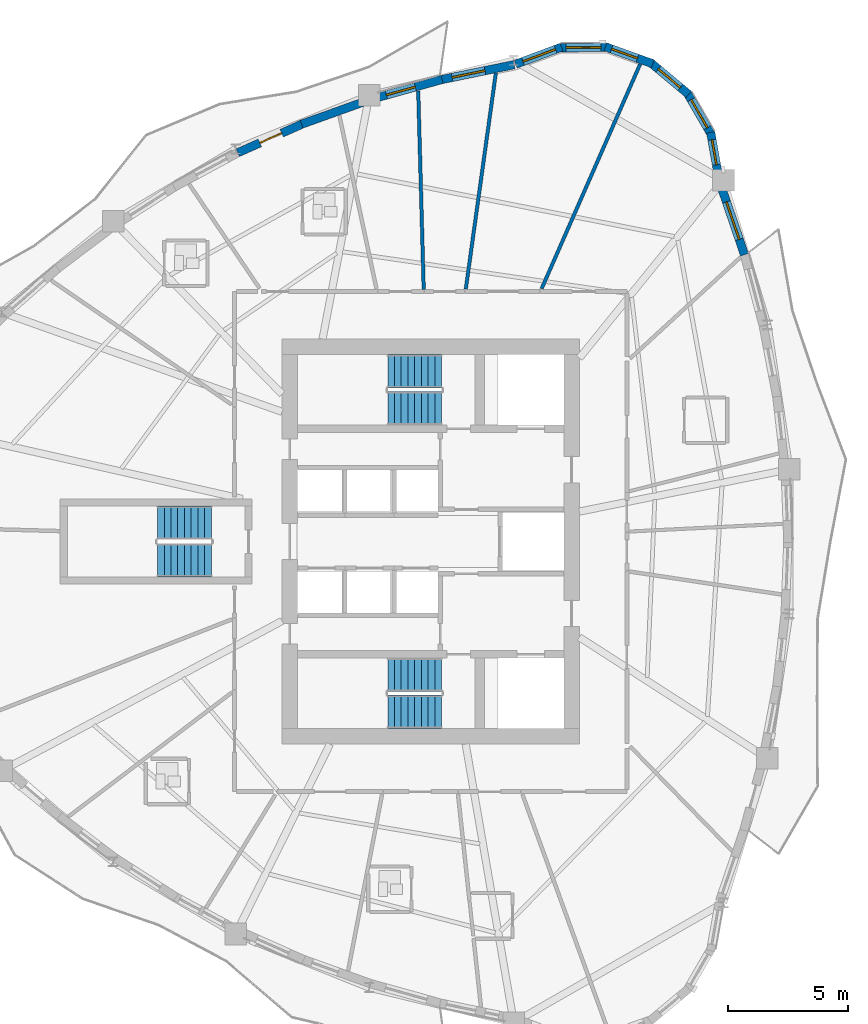
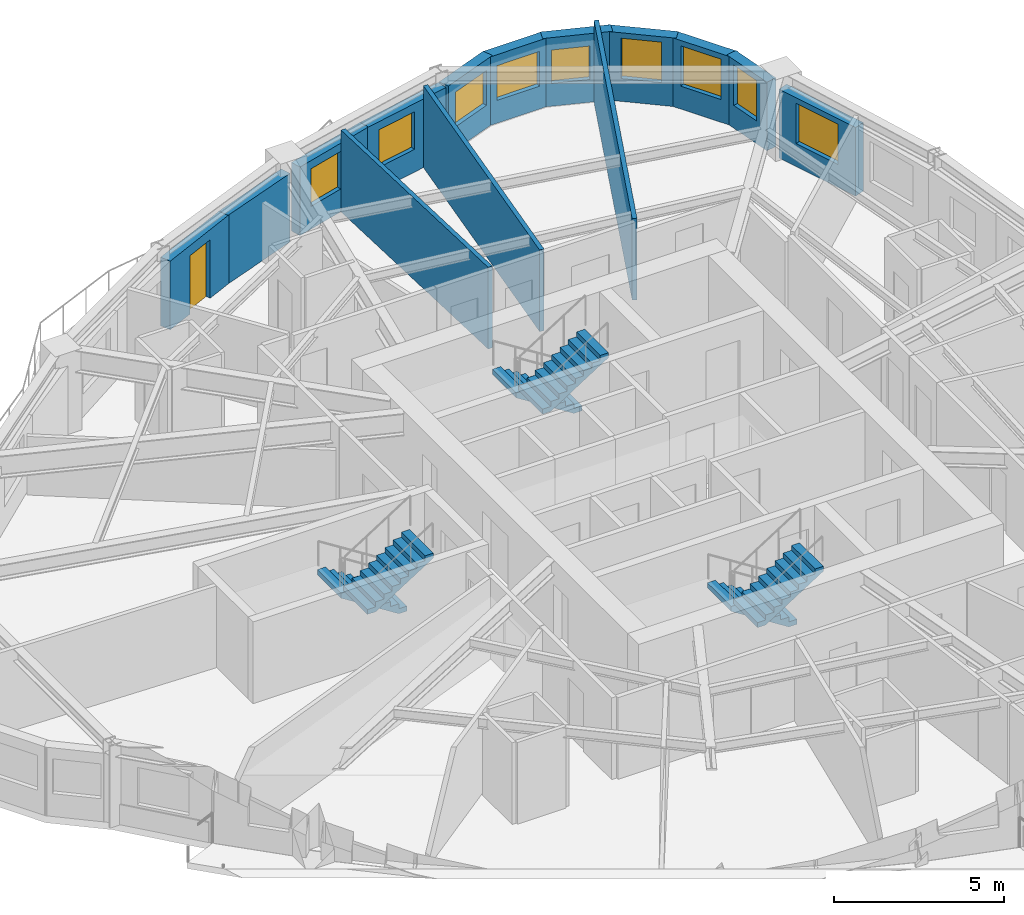
# One storey, part 8 of 12: 14 walls, 9 windows, 6 stair flights, 1 door, 10 openings, 3 elements without a shape of their own.
"""IFC4 building model written with IfcOpenShell, lengths in metres."""

from ifc_helpers import new_model, si_unit, direction, frame, frame_2d, origin, place, context, subcontext, project, spatial, polyline, rectangle, outline, extrude, source, transform, mapped, material, layer, layer_set, type_object, element, fill, aggregate, save


model = new_model("IFC4")

# Units and contexts
model_context = context("Model", 3, precision=1e-05, world=origin(), true_north=direction((0.0, 1.0)))
body_context = subcontext(model_context, "Body", "Model", "MODEL_VIEW")
ifc_project = project(units=[si_unit("LENGTHUNIT", "METRE"), si_unit("AREAUNIT", "SQUARE_METRE"), si_unit("VOLUMEUNIT", "CUBIC_METRE"), si_unit("PLANEANGLEUNIT", "RADIAN"), si_unit("MASSUNIT", "GRAM", prefix="KILO")], contexts=[model_context])

# Site, building, storey
site_placement = place(None, origin())
site = spatial("IfcSite", under=ifc_project, at=site_placement, CompositionType="ELEMENT")
building_placement = place(site_placement, origin())
building = spatial("IfcBuilding", under=site, at=building_placement, Name="Qafzar Sky-Pleat Residences", CompositionType="ELEMENT")
storey_placement = place(building_placement, frame((0.0, 0.0, 76.800048828125)))
storey = spatial("IfcBuildingStorey", under=building, at=storey_placement, Name="L22", CompositionType="ELEMENT", Elevation=76.800048828125)

# Walls
ifc_material_1 = material(Name="Acoustic gypsum plasterboard partition", Category="gypsum")
ifc_layer_1 = layer(ifc_material_1, 0.14501953125)
ifc_layer_set_1 = layer_set([ifc_layer_1], Name="Acoustic gypsum plasterboard partition")
wall_type_1 = type_object("IfcWallType", Name="PART-UNIT-145", PredefinedType="PARTITIONING", material=ifc_layer_set_1)
wall_1_placement = place(storey_placement, frame((34.97705078125, 36.54638671875, 0.0), z_axis=(0.0, 0.0, 1.0), x_axis=(0.40175384449, 0.915747699117, 0.0)))
element("IfcWall", 1, at=wall_1_placement, inside=storey, type_object=wall_type_1, Name="L22 Partition Wall PART-L22-PW-027", PredefinedType="PARTITIONING", context=body_context, shape_type="SweptSolid", body=[
    extrude(rectangle(XDim=10.229736328125, YDim=0.14501953125, at=frame_2d((5.11474609375, 0.0))), origin(), (0.0, 0.0, 1.0), 2.93505859375),
])
wall_2_placement = place(storey_placement, frame((31.813720703125, 36.52783203125, 0.0), z_axis=(0.0, 0.0, 1.0), x_axis=(0.137724115974, 0.990470629488, 0.0)))
element("IfcWall", 2, at=wall_2_placement, inside=storey, type_object=wall_type_1, Name="L22 Partition Wall PART-L22-PW-029", PredefinedType="PARTITIONING", context=body_context, shape_type="SweptSolid", body=[
    extrude(rectangle(XDim=9.09912109375, YDim=0.14501953125, at=frame_2d((4.549560546875, 0.0))), origin(), (0.0, 0.0, 1.0), 2.93505859375),
])
wall_3_placement = place(storey_placement, frame((29.830078125, 44.785400390625, 0.0), z_axis=(0.0, 0.0, 1.0), x_axis=(0.027636759054, -0.999618031825, 0.0)))
element("IfcWall", 3, at=wall_3_placement, inside=storey, type_object=wall_type_1, Name="L22 Partition Wall PART-L22-PW-032", PredefinedType="PARTITIONING", context=body_context, shape_type="SweptSolid", body=[
    extrude(rectangle(XDim=8.2685546875, YDim=0.14501953125, at=frame_2d((4.13427734375, 0.0))), origin(), (0.0, 0.0, 1.0), 2.93505859375),
])

# Wall, opening, window
ifc_material_2 = material(Name="Precast concrete C40/50 with honed Riyadh limestone", Category="concrete")
ifc_layer_2 = layer(ifc_material_2, 0.35009765625)
ifc_layer_set_2 = layer_set([ifc_layer_2], Name="Precast concrete C40/50 with honed Riyadh limestone")
wall_type_2 = type_object("IfcWallType", Name="WALL-EXT-350", PredefinedType="SOLIDWALL", material=ifc_layer_set_2)
wall_4_placement = place(storey_placement, frame((43.437255859375, 37.9609375, 0.0), z_axis=(0.0, 0.0, 1.0), x_axis=(-0.323572555921, 0.946203361363, 0.0)))
wall_4 = element("IfcWall", 4, at=wall_4_placement, inside=storey, type_object=wall_type_2, Name="L22 Limestone Facade Wall 32", PredefinedType="SOLIDWALL", context=body_context, shape_type="SweptSolid", body=[
    extrude(rectangle(XDim=2.997802734375, YDim=0.35009765625, at=frame_2d((1.4990234375, 0.0))), origin(), (0.0, 0.0, 1.0), 2.46484375),
])
opening_1_placement = place(wall_4_placement, frame((0.6787109375, 0.0, 0.820068359375)))
opening_1 = element("IfcOpeningElement", 5, at=opening_1_placement, cuts=wall_4, Name="Opening WN-02", PredefinedType="OPENING", context=body_context, shape_type="SweptSolid", body=[
    extrude(rectangle(XDim=1.64990234375, YDim=1.449951171875, at=frame_2d((0.824951171875, 0.72509765625))), frame((0.0, 0.18505859375, 0.0), z_axis=(0.0, -1.0, 0.0), x_axis=(1.0, 0.0, 0.0)), (0.0, 0.0, 1.0), 0.3701171875),
])
ifc_material_3 = material(Name="Solar-control low-E glass in bronze aluminium frame", Category="glass")
window_type_1 = type_object("IfcWindowType", Name="WIN-02", PartitioningType="DOUBLE_PANEL_VERTICAL", PredefinedType="WINDOW", material=ifc_material_3)
shared_shape_1 = source(origin(), body_context, "Body", "SweptSolid", [
    extrude(rectangle(XDim=1.64990234375, YDim=1.449951171875, at=frame_2d((0.824951171875, 0.72509765625))), frame((0.0, 0.030029296875, 0.0), z_axis=(0.0, -1.0, 0.0), x_axis=(1.0, 0.0, 0.0)), (0.0, 0.0, 1.0), 0.06005859375),
])
window_1_placement = place(opening_1_placement, origin())
window_1 = element("IfcWindow", 6, at=window_1_placement, inside=storey, type_object=window_type_1, Name="L22 Punched Facade Window 32", OverallHeight=1.449951171875, OverallWidth=1.64990234375, PartitioningType="SINGLE_PANEL", PredefinedType="WINDOW", context=body_context, shape_type="MappedRepresentation", body=[
    mapped(shared_shape_1, transform((0.0, 0.0, 0.0), x_axis=(1.0, 0.0, 0.0), y_axis=(0.0, 1.0, 0.0), z_axis=(0.0, 0.0, 1.0), scale=1.0)),
])
fill(opening_1, window_1)

wall_5_placement = place(storey_placement, frame((42.348388671875, 41.2578125, 0.0), z_axis=(0.0, 0.0, 1.0), x_axis=(-0.174331490339, 0.984687022092, 0.0)))
wall_5 = element("IfcWall", 7, at=wall_5_placement, inside=storey, type_object=wall_type_2, Name="L22 Limestone Facade Wall 33", PredefinedType="SOLIDWALL", context=body_context, shape_type="SweptSolid", body=[
    extrude(rectangle(XDim=1.8359375, YDim=0.35009765625, at=frame_2d((0.91796875, 0.0))), origin(), (0.0, 0.0, 1.0), 2.46484375),
])
opening_2_placement = place(wall_5_placement, frame((0.468017578125, 0.0, 0.820068359375)))
opening_2 = element("IfcOpeningElement", 8, at=opening_2_placement, cuts=wall_5, Name="Opening WN-06", PredefinedType="OPENING", context=body_context, shape_type="SweptSolid", body=[
    extrude(rectangle(XDim=1.050048828125, YDim=1.449951171875, at=frame_2d((0.52490234375, 0.72509765625))), frame((0.0, 0.18505859375, 0.0), z_axis=(0.0, -1.0, 0.0), x_axis=(1.0, 0.0, 0.0)), (0.0, 0.0, 1.0), 0.3701171875),
])
window_type_2 = type_object("IfcWindowType", Name="WIN-06", PartitioningType="SINGLE_PANEL", PredefinedType="WINDOW", material=ifc_material_3)
shared_shape_2 = source(origin(), body_context, "Body", "SweptSolid", [
    extrude(rectangle(XDim=1.050048828125, YDim=1.449951171875, at=frame_2d((0.52490234375, 0.72509765625))), frame((0.0, 0.030029296875, 0.0), z_axis=(0.0, -1.0, 0.0), x_axis=(1.0, 0.0, 0.0)), (0.0, 0.0, 1.0), 0.06005859375),
])
window_2_placement = place(opening_2_placement, origin())
window_2 = element("IfcWindow", 9, at=window_2_placement, inside=storey, type_object=window_type_2, Name="L22 Punched Facade Window 33", OverallHeight=1.449951171875, OverallWidth=1.050048828125, PartitioningType="SINGLE_PANEL", PredefinedType="WINDOW", context=body_context, shape_type="MappedRepresentation", body=[
    mapped(shared_shape_2, transform((0.0, 0.0, 0.0), x_axis=(1.0, 0.0, 0.0), y_axis=(0.0, 1.0, 0.0), z_axis=(0.0, 0.0, 1.0), scale=1.0)),
])
fill(opening_2, window_2)

wall_6_placement = place(storey_placement, frame((42.074951171875, 42.93798828125, 0.0), z_axis=(0.0, 0.0, 1.0), x_axis=(-0.501902596059, 0.864924149315, 0.0)))
wall_6 = element("IfcWall", 10, at=wall_6_placement, inside=storey, type_object=wall_type_2, Name="L22 Limestone Facade Wall 34", PredefinedType="SOLIDWALL", context=body_context, shape_type="SweptSolid", body=[
    extrude(rectangle(XDim=2.098876953125, YDim=0.35009765625, at=frame_2d((1.04931640625, 0.0))), origin(), (0.0, 0.0, 1.0), 2.46484375),
])
opening_3_placement = place(wall_6_placement, frame((0.37451171875, 0.0, 0.820068359375)))
opening_3 = element("IfcOpeningElement", 11, at=opening_3_placement, cuts=wall_6, Name="Opening WN-04", PredefinedType="OPENING", context=body_context, shape_type="SweptSolid", body=[
    extrude(rectangle(XDim=1.35009765625, YDim=1.449951171875, at=frame_2d((0.675048828125, 0.72509765625))), frame((0.0, 0.18505859375, 0.0), z_axis=(0.0, -1.0, 0.0), x_axis=(1.0, 0.0, 0.0)), (0.0, 0.0, 1.0), 0.3701171875),
])
window_type_3 = type_object("IfcWindowType", Name="WIN-04", PartitioningType="SINGLE_PANEL", PredefinedType="WINDOW", material=ifc_material_3)
shared_shape_3 = source(origin(), body_context, "Body", "SweptSolid", [
    extrude(rectangle(XDim=1.35009765625, YDim=1.449951171875, at=frame_2d((0.675048828125, 0.72509765625))), frame((0.0, 0.030029296875, 0.0), z_axis=(0.0, -1.0, 0.0), x_axis=(1.0, 0.0, 0.0)), (0.0, 0.0, 1.0), 0.06005859375),
])
window_3_placement = place(opening_3_placement, origin())
window_3 = element("IfcWindow", 12, at=window_3_placement, inside=storey, type_object=window_type_3, Name="L22 Punched Facade Window 34", OverallHeight=1.449951171875, OverallWidth=1.35009765625, PartitioningType="SINGLE_PANEL", PredefinedType="WINDOW", context=body_context, shape_type="MappedRepresentation", body=[
    mapped(shared_shape_3, transform((0.0, 0.0, 0.0), x_axis=(1.0, 0.0, 0.0), y_axis=(0.0, 1.0, 0.0), z_axis=(0.0, 0.0, 1.0), scale=1.0)),
])
fill(opening_3, window_3)

wall_7_placement = place(storey_placement, frame((41.10888671875, 44.649658203125, 0.0), z_axis=(0.0, 0.0, 1.0), x_axis=(-0.768450068703, 0.639909752942, 0.0)))
wall_7 = element("IfcWall", 13, at=wall_7_placement, inside=storey, type_object=wall_type_2, Name="L22 Limestone Facade Wall 35", PredefinedType="SOLIDWALL", context=body_context, shape_type="SweptSolid", body=[
    extrude(rectangle(XDim=2.098876953125, YDim=0.35009765625, at=frame_2d((1.04931640625, 0.0))), origin(), (0.0, 0.0, 1.0), 2.46484375),
])
opening_4_placement = place(wall_7_placement, frame((0.449462890625, 0.0, 0.820068359375)))
opening_4 = element("IfcOpeningElement", 14, at=opening_4_placement, cuts=wall_7, Name="Opening WN-05", PredefinedType="OPENING", context=body_context, shape_type="SweptSolid", body=[
    extrude(rectangle(XDim=1.199951171875, YDim=1.449951171875, at=frame_2d((0.60009765625, 0.72509765625))), frame((0.0, 0.18505859375, 0.0), z_axis=(0.0, -1.0, 0.0), x_axis=(1.0, 0.0, 0.0)), (0.0, 0.0, 1.0), 0.3701171875),
])
window_type_4 = type_object("IfcWindowType", Name="WIN-05", PartitioningType="SINGLE_PANEL", PredefinedType="WINDOW", material=ifc_material_3)
shared_shape_4 = source(origin(), body_context, "Body", "SweptSolid", [
    extrude(rectangle(XDim=1.199951171875, YDim=1.449951171875, at=frame_2d((0.60009765625, 0.72509765625))), frame((0.0, 0.030029296875, 0.0), z_axis=(0.0, -1.0, 0.0), x_axis=(1.0, 0.0, 0.0)), (0.0, 0.0, 1.0), 0.06005859375),
])
window_4_placement = place(opening_4_placement, origin())
window_4 = element("IfcWindow", 15, at=window_4_placement, inside=storey, type_object=window_type_4, Name="L22 Punched Facade Window 35", OverallHeight=1.449951171875, OverallWidth=1.199951171875, PartitioningType="SINGLE_PANEL", PredefinedType="WINDOW", context=body_context, shape_type="MappedRepresentation", body=[
    mapped(shared_shape_4, transform((0.0, 0.0, 0.0), x_axis=(1.0, 0.0, 0.0), y_axis=(0.0, 1.0, 0.0), z_axis=(0.0, 0.0, 1.0), scale=1.0)),
])
fill(opening_4, window_4)

wall_8_placement = place(storey_placement, frame((39.614013671875, 45.92529296875, 0.0), z_axis=(0.0, 0.0, 1.0), x_axis=(-0.941486401639, 0.33705096874, 0.0)))
wall_8 = element("IfcWall", 16, at=wall_8_placement, inside=storey, type_object=wall_type_2, Name="L22 Limestone Facade Wall 36", PredefinedType="SOLIDWALL", context=body_context, shape_type="SweptSolid", body=[
    extrude(rectangle(XDim=2.09912109375, YDim=0.35009765625, at=frame_2d((1.049560546875, 0.0))), origin(), (0.0, 0.0, 1.0), 2.46484375),
])
opening_5_placement = place(wall_8_placement, frame((0.679931640625, 0.0, 0.820068359375)))
opening_5 = element("IfcOpeningElement", 17, at=opening_5_placement, cuts=wall_8, Name="Opening WN-16", PredefinedType="OPENING", context=body_context, shape_type="SweptSolid", body=[
    extrude(rectangle(XDim=1.14990234375, YDim=1.199951171875, at=frame_2d((0.574951171875, 0.60009765625))), frame((0.0, 0.18505859375, 0.0), z_axis=(0.0, -1.0, 0.0), x_axis=(1.0, 0.0, 0.0)), (0.0, 0.0, 1.0), 0.3701171875),
])
window_type_5 = type_object("IfcWindowType", Name="WIN-16", PartitioningType="SINGLE_PANEL", PredefinedType="WINDOW", material=ifc_material_3)
shared_shape_5 = source(origin(), body_context, "Body", "SweptSolid", [
    extrude(rectangle(XDim=1.14990234375, YDim=1.199951171875, at=frame_2d((0.574951171875, 0.60009765625))), frame((0.0, 0.030029296875, 0.0), z_axis=(0.0, -1.0, 0.0), x_axis=(1.0, 0.0, 0.0)), (0.0, 0.0, 1.0), 0.06005859375),
])
window_5_placement = place(opening_5_placement, origin())
window_5 = element("IfcWindow", 18, at=window_5_placement, inside=storey, type_object=window_type_5, Name="L22 Punched Facade Window 36-2", OverallHeight=1.199951171875, OverallWidth=1.14990234375, PartitioningType="SINGLE_PANEL", PredefinedType="WINDOW", context=body_context, shape_type="MappedRepresentation", body=[
    mapped(shared_shape_5, transform((0.0, 0.0, 0.0), x_axis=(1.0, 0.0, 0.0), y_axis=(0.0, 1.0, 0.0), z_axis=(0.0, 0.0, 1.0), scale=1.0)),
])
fill(opening_5, window_5)

wall_9_placement = place(storey_placement, frame((37.771728515625, 46.610107421875, 0.0), z_axis=(0.0, 0.0, 1.0), x_axis=(-0.999976451414, -0.006862697526, 0.0)))
wall_9 = element("IfcWall", 19, at=wall_9_placement, inside=storey, type_object=wall_type_2, Name="L22 Limestone Facade Wall 37", PredefinedType="SOLIDWALL", context=body_context, shape_type="SweptSolid", body=[
    extrude(rectangle(XDim=2.098876953125, YDim=0.35009765625, at=frame_2d((1.04931640625, 0.0))), origin(), (0.0, 0.0, 1.0), 2.46484375),
])
opening_6_placement = place(wall_9_placement, frame((0.324462890625, 0.0, 0.820068359375)))
opening_6 = element("IfcOpeningElement", 20, at=opening_6_placement, cuts=wall_9, Name="Opening WN-15", PredefinedType="OPENING", context=body_context, shape_type="SweptSolid", body=[
    extrude(rectangle(XDim=1.449951171875, YDim=1.25, at=frame_2d((0.72509765625, 0.625))), frame((0.0, 0.18505859375, 0.0), z_axis=(0.0, -1.0, 0.0), x_axis=(1.0, 0.0, 0.0)), (0.0, 0.0, 1.0), 0.3701171875),
])
window_type_6 = type_object("IfcWindowType", Name="WIN-15", PartitioningType="SINGLE_PANEL", PredefinedType="WINDOW", material=ifc_material_3)
shared_shape_6 = source(origin(), body_context, "Body", "SweptSolid", [
    extrude(rectangle(XDim=1.449951171875, YDim=1.25, at=frame_2d((0.72509765625, 0.625))), frame((0.0, 0.030029296875, 0.0), z_axis=(0.0, -1.0, 0.0), x_axis=(1.0, 0.0, 0.0)), (0.0, 0.0, 1.0), 0.06005859375),
])
window_6_placement = place(opening_6_placement, origin())
window_6 = element("IfcWindow", 21, at=window_6_placement, inside=storey, type_object=window_type_6, Name="L22 Punched Facade Window 37", OverallHeight=1.25, OverallWidth=1.449951171875, PartitioningType="SINGLE_PANEL", PredefinedType="WINDOW", context=body_context, shape_type="MappedRepresentation", body=[
    mapped(shared_shape_6, transform((0.0, 0.0, 0.0), x_axis=(1.0, 0.0, 0.0), y_axis=(0.0, 1.0, 0.0), z_axis=(0.0, 0.0, 1.0), scale=1.0)),
])
fill(opening_6, window_6)

wall_10_placement = place(storey_placement, frame((35.806396484375, 46.6201171875, 0.0), z_axis=(0.0, 0.0, 1.0), x_axis=(-0.936863987578, -0.34969396446, 0.0)))
wall_10 = element("IfcWall", 22, at=wall_10_placement, inside=storey, type_object=wall_type_2, Name="L22 Limestone Facade Wall 38", PredefinedType="SOLIDWALL", context=body_context, shape_type="SweptSolid", body=[
    extrude(rectangle(XDim=2.040771484375, YDim=0.35009765625, at=frame_2d((1.0205078125, 0.0))), origin(), (0.0, 0.0, 1.0), 2.46484375),
])
opening_7_placement = place(wall_10_placement, frame((0.265380859375, 0.0, 0.820068359375)))
opening_7 = element("IfcOpeningElement", 23, at=opening_7_placement, cuts=wall_10, Name="Opening WN-15", PredefinedType="OPENING", context=body_context, shape_type="SweptSolid", body=[
    extrude(rectangle(XDim=1.449951171875, YDim=1.25, at=frame_2d((0.72509765625, 0.625))), frame((0.0, 0.18505859375, 0.0), z_axis=(0.0, -1.0, 0.0), x_axis=(1.0, 0.0, 0.0)), (0.0, 0.0, 1.0), 0.3701171875),
])
window_7_placement = place(opening_7_placement, origin())
window_7 = element("IfcWindow", 24, at=window_7_placement, inside=storey, type_object=window_type_6, Name="L22 Punched Facade Window 38", OverallHeight=1.25, OverallWidth=1.449951171875, PartitioningType="SINGLE_PANEL", PredefinedType="WINDOW", context=body_context, shape_type="MappedRepresentation", body=[
    mapped(shared_shape_6, transform((0.0, 0.0, 0.0), x_axis=(1.0, 0.0, 0.0), y_axis=(0.0, 1.0, 0.0), z_axis=(0.0, 0.0, 1.0), scale=1.0)),
])
fill(opening_7, window_7)

wall_11_placement = place(storey_placement, frame((33.830322265625, 45.887939453125, 0.0), z_axis=(0.0, 0.0, 1.0), x_axis=(-0.979439051097, -0.201740291429, 0.0)))
wall_11 = element("IfcWall", 25, at=wall_11_placement, inside=storey, type_object=wall_type_2, Name="L22 Limestone Facade Wall 39", PredefinedType="SOLIDWALL", context=body_context, shape_type="SweptSolid", body=[
    extrude(rectangle(XDim=3.15380859375, YDim=0.35009765625, at=frame_2d((1.576904296875, 0.0))), origin(), (0.0, 0.0, 1.0), 2.46484375),
])
opening_8_placement = place(wall_11_placement, frame((1.241943359375, 0.0, 0.820068359375)))
opening_8 = element("IfcOpeningElement", 26, at=opening_8_placement, cuts=wall_11, Name="Opening WN-10", PredefinedType="OPENING", context=body_context, shape_type="SweptSolid", body=[
    extrude(rectangle(XDim=1.39990234375, YDim=1.35009765625, at=frame_2d((0.699951171875, 0.675048828125))), frame((0.0, 0.18505859375, 0.0), z_axis=(0.0, -1.0, 0.0), x_axis=(1.0, 0.0, 0.0)), (0.0, 0.0, 1.0), 0.3701171875),
])
window_type_7 = type_object("IfcWindowType", Name="WIN-10", PartitioningType="SINGLE_PANEL", PredefinedType="WINDOW", material=ifc_material_3)
shared_shape_7 = source(origin(), body_context, "Body", "SweptSolid", [
    extrude(rectangle(XDim=1.39990234375, YDim=1.35009765625, at=frame_2d((0.699951171875, 0.675048828125))), frame((0.0, 0.030029296875, 0.0), z_axis=(0.0, -1.0, 0.0), x_axis=(1.0, 0.0, 0.0)), (0.0, 0.0, 1.0), 0.06005859375),
])
window_8_placement = place(opening_8_placement, origin())
window_8 = element("IfcWindow", 27, at=window_8_placement, inside=storey, type_object=window_type_7, Name="L22 Punched Facade Window 39-2", OverallHeight=1.35009765625, OverallWidth=1.39990234375, PartitioningType="SINGLE_PANEL", PredefinedType="WINDOW", context=body_context, shape_type="MappedRepresentation", body=[
    mapped(shared_shape_7, transform((0.0, 0.0, 0.0), x_axis=(1.0, 0.0, 0.0), y_axis=(0.0, 1.0, 0.0), z_axis=(0.0, 0.0, 1.0), scale=1.0)),
])
fill(opening_8, window_8)

wall_12_placement = place(storey_placement, frame((30.8271484375, 45.2724609375, 0.0), z_axis=(0.0, 0.0, 1.0), x_axis=(-0.963061576901, -0.269281263918, 0.0)))
wall_12 = element("IfcWall", 28, at=wall_12_placement, inside=storey, type_object=wall_type_2, Name="L22 Limestone Facade Wall 40", PredefinedType="SOLIDWALL", context=body_context, shape_type="SweptSolid", body=[
    extrude(rectangle(XDim=2.883056640625, YDim=0.35009765625, at=frame_2d((1.44140625, 0.0))), origin(), (0.0, 0.0, 1.0), 2.46484375),
])
opening_9_placement = place(wall_12_placement, frame((1.162841796875, 0.0, 0.820068359375)))
opening_9 = element("IfcOpeningElement", 29, at=opening_9_placement, cuts=wall_12, Name="Opening WN-11", PredefinedType="OPENING", context=body_context, shape_type="SweptSolid", body=[
    extrude(rectangle(XDim=1.25, YDim=1.35009765625, at=frame_2d((0.625, 0.675048828125))), frame((0.0, 0.18505859375, 0.0), z_axis=(0.0, -1.0, 0.0), x_axis=(1.0, 0.0, 0.0)), (0.0, 0.0, 1.0), 0.3701171875),
])
window_type_8 = type_object("IfcWindowType", Name="WIN-11", PartitioningType="SINGLE_PANEL", PredefinedType="WINDOW", material=ifc_material_3)
shared_shape_8 = source(origin(), body_context, "Body", "SweptSolid", [
    extrude(rectangle(XDim=1.25, YDim=1.35009765625, at=frame_2d((0.625, 0.675048828125))), frame((0.0, 0.030029296875, 0.0), z_axis=(0.0, -1.0, 0.0), x_axis=(1.0, 0.0, 0.0)), (0.0, 0.0, 1.0), 0.06005859375),
])
window_9_placement = place(opening_9_placement, origin())
window_9 = element("IfcWindow", 30, at=window_9_placement, inside=storey, type_object=window_type_8, Name="L22 Punched Facade Window 40-2", OverallHeight=1.35009765625, OverallWidth=1.25, PartitioningType="SINGLE_PANEL", PredefinedType="WINDOW", context=body_context, shape_type="MappedRepresentation", body=[
    mapped(shared_shape_8, transform((0.0, 0.0, 0.0), x_axis=(1.0, 0.0, 0.0), y_axis=(0.0, 1.0, 0.0), z_axis=(0.0, 0.0, 1.0), scale=1.0)),
])
fill(opening_9, window_9)

# Wall
wall_13_placement = place(storey_placement, frame((27.63427734375, 44.363037109375, 0.0), z_axis=(0.0, 0.0, 1.0), x_axis=(-0.941122275829, -0.3380663573, 0.0)))
element("IfcWall", 31, at=wall_13_placement, inside=storey, type_object=wall_type_2, Name="L22 Limestone Facade Wall 41", PredefinedType="SOLIDWALL", context=body_context, shape_type="SweptSolid", body=[
    extrude(rectangle(XDim=2.8330078125, YDim=0.35009765625, at=frame_2d((1.41650390625, 0.0))), origin(), (0.0, 0.0, 1.0), 2.46484375),
])

# Wall, opening, door
wall_14_placement = place(storey_placement, frame((25.050537109375, 43.4384765625, 0.0), z_axis=(0.0, 0.0, 1.0), x_axis=(-0.913435824308, -0.406982794318, 0.0)))
wall_14 = element("IfcWall", 32, at=wall_14_placement, inside=storey, type_object=wall_type_2, Name="L22 Limestone Facade Wall 42", PredefinedType="SOLIDWALL", context=body_context, shape_type="SweptSolid", body=[
    extrude(rectangle(XDim=3.004150390625, YDim=0.35009765625, at=frame_2d((1.501953125, 0.0))), origin(), (0.0, 0.0, 1.0), 2.46484375),
])
opening_10_placement = place(wall_14_placement, frame((1.001953125, 0.0, 0.0)))
opening_10 = element("IfcOpeningElement", 33, at=opening_10_placement, cuts=wall_14, Name="Opening ED-05", PredefinedType="OPENING", context=body_context, shape_type="SweptSolid", body=[
    extrude(rectangle(XDim=1.0, YDim=2.10009765625, at=frame_2d((0.5, 1.050048828125))), frame((0.0, 0.18505859375, 0.0), z_axis=(0.0, -1.0, 0.0), x_axis=(1.0, 0.0, 0.0)), (0.0, 0.0, 1.0), 0.3701171875),
])
ifc_material_4 = material(Name="Glazed bronze aluminium door", Category="aluminium")
door_type = type_object("IfcDoorType", Name="DR-BAL-1000", OperationType="NOTDEFINED", PredefinedType="DOOR", material=ifc_material_4)
shared_shape_9 = source(origin(), body_context, "Body", "SweptSolid", [
    extrude(rectangle(XDim=1.0, YDim=2.10009765625, at=frame_2d((0.5, 1.050048828125))), frame((0.0, 0.02490234375, 0.0), z_axis=(0.0, -1.0, 0.0), x_axis=(1.0, 0.0, 0.0)), (0.0, 0.0, 1.0), 0.050048828125),
])
door_placement = place(opening_10_placement, origin())
door = element("IfcDoor", 34, at=door_placement, inside=storey, type_object=door_type, Name="L22 Glazed Balcony Door 2", OperationType="SINGLE_SWING_LEFT", OverallHeight=2.10009765625, OverallWidth=1.0, PredefinedType="DOOR", context=body_context, shape_type="MappedRepresentation", body=[
    mapped(shared_shape_9, transform((0.0, 0.0, 0.0), x_axis=(1.0, 0.0, 0.0), y_axis=(0.0, 1.0, 0.0), z_axis=(0.0, 0.0, 1.0), scale=1.0)),
])
fill(opening_10, door)

# Stair, stair flights
ifc_material_5 = material(Name="Concrete C40/50", Category="concrete")
stair_type = type_object("IfcStairType", Name="STAIR-H320", PredefinedType="HALF_TURN_STAIR", material=ifc_material_5)
stair_1_placement = place(storey_placement, origin())
stair_1 = element("IfcStair", 35, at=stair_1_placement, inside=storey, type_object=stair_type, Name="L22 Protected Exit Stair ST1", PredefinedType="HALF_TURN_STAIR")
stair_flight_type = type_object("IfcStairFlightType", Name="FLIGHT-H320", PredefinedType="STRAIGHT", material=ifc_material_5)
shared_shape_10 = source(origin(), body_context, "Body", "SweptSolid", [
    extrude(outline(polyline([(0.0, 0.0), (0.0, 0.177734375), (0.280029296875, 0.177734375), (0.280029296875, 0.35546875), (0.56005859375, 0.35546875), (0.56005859375, 0.533447265625), (0.840087890625, 0.533447265625), (0.840087890625, 0.711181640625), (1.1201171875, 0.711181640625), (1.1201171875, 0.888916015625), (1.39990234375, 0.888916015625), (1.39990234375, 1.066650390625), (1.679931640625, 1.066650390625), (1.679931640625, 1.244384765625), (1.9599609375, 1.244384765625), (1.9599609375, 1.422119140625), (2.239990234375, 1.422119140625), (2.239990234375, 1.60009765625), (2.239990234375, 1.24462890625), (0.27978515625, 0.0), (0.0, 0.0)])), frame((0.0, 0.699951171875, 0.0), z_axis=(0.0, -1.0, 0.0), x_axis=(1.0, 0.0, 0.0)), (0.0, 0.0, 1.0), 1.39990234375),
])
stair_flight_1_placement = place(storey_placement, frame((30.800048828125, 20.449951171875, 0.0), z_axis=(0.0, 0.0, 1.0), x_axis=(-1.0, 0.0, 0.0)))
stair_flight_1 = element("IfcStairFlight", 36, at=stair_flight_1_placement, type_object=stair_flight_type, Name="ST1 flight 1", NumberOfRisers=9, NumberOfTreads=8, PredefinedType="STRAIGHT", RiserHeight=0.177777778, TreadLength=0.28, context=body_context, shape_type="MappedRepresentation", body=[
    mapped(shared_shape_10, transform((0.0, 0.0, 0.0), x_axis=(1.0, 0.0, 0.0), y_axis=(0.0, 1.0, 0.0), z_axis=(0.0, 0.0, 1.0), scale=1.0)),
])
stair_flight_2_placement = place(storey_placement, frame((28.56005859375, 18.89990234375, 1.599853515625), z_axis=(0.0, 0.0, 1.0), x_axis=(1.0, 0.0, 0.0)))
stair_flight_2 = element("IfcStairFlight", 37, at=stair_flight_2_placement, type_object=stair_flight_type, Name="ST1 flight 2", NumberOfRisers=9, NumberOfTreads=8, PredefinedType="STRAIGHT", RiserHeight=0.177777778, TreadLength=0.28, context=body_context, shape_type="MappedRepresentation", body=[
    mapped(shared_shape_10, transform((0.0, 0.0, 0.0), x_axis=(1.0, 0.0, 0.0), y_axis=(0.0, 1.0, 0.0), z_axis=(0.0, 0.0, 1.0), scale=1.0)),
])
aggregate(stair_1, [stair_flight_1, stair_flight_2])

stair_2_placement = place(storey_placement, origin())
stair_2 = element("IfcStair", 38, at=stair_2_placement, inside=storey, type_object=stair_type, Name="L22 Protected Exit Stair ST2", PredefinedType="HALF_TURN_STAIR")
stair_flight_3_placement = place(storey_placement, frame((30.800048828125, 33.10009765625, 0.0), z_axis=(0.0, 0.0, 1.0), x_axis=(-1.0, 0.0, 0.0)))
stair_flight_3 = element("IfcStairFlight", 39, at=stair_flight_3_placement, type_object=stair_flight_type, Name="ST2 flight 1", NumberOfRisers=9, NumberOfTreads=8, PredefinedType="STRAIGHT", RiserHeight=0.177777778, TreadLength=0.28, context=body_context, shape_type="MappedRepresentation", body=[
    mapped(shared_shape_10, transform((0.0, 0.0, 0.0), x_axis=(1.0, 0.0, 0.0), y_axis=(0.0, 1.0, 0.0), z_axis=(0.0, 0.0, 1.0), scale=1.0)),
])
stair_flight_4_placement = place(storey_placement, frame((28.56005859375, 31.550048828125, 1.599853515625), z_axis=(0.0, 0.0, 1.0), x_axis=(1.0, 0.0, 0.0)))
stair_flight_4 = element("IfcStairFlight", 40, at=stair_flight_4_placement, type_object=stair_flight_type, Name="ST2 flight 2", NumberOfRisers=9, NumberOfTreads=8, PredefinedType="STRAIGHT", RiserHeight=0.177777778, TreadLength=0.28, context=body_context, shape_type="MappedRepresentation", body=[
    mapped(shared_shape_10, transform((0.0, 0.0, 0.0), x_axis=(1.0, 0.0, 0.0), y_axis=(0.0, 1.0, 0.0), z_axis=(0.0, 0.0, 1.0), scale=1.0)),
])
aggregate(stair_2, [stair_flight_3, stair_flight_4])

stair_3_placement = place(storey_placement, origin())
stair_3 = element("IfcStair", 41, at=stair_3_placement, inside=storey, type_object=stair_type, Name="L22 Protected Exit Stair ST3", PredefinedType="HALF_TURN_STAIR")
stair_flight_5_placement = place(storey_placement, frame((21.199951171875, 26.77490234375, 0.0), z_axis=(0.0, 0.0, 1.0), x_axis=(-1.0, 0.0, 0.0)))
stair_flight_5 = element("IfcStairFlight", 42, at=stair_flight_5_placement, type_object=stair_flight_type, Name="ST3 flight 1", NumberOfRisers=9, NumberOfTreads=8, PredefinedType="STRAIGHT", RiserHeight=0.177777778, TreadLength=0.28, context=body_context, shape_type="MappedRepresentation", body=[
    mapped(shared_shape_10, transform((0.0, 0.0, 0.0), x_axis=(1.0, 0.0, 0.0), y_axis=(0.0, 1.0, 0.0), z_axis=(0.0, 0.0, 1.0), scale=1.0)),
])
stair_flight_6_placement = place(storey_placement, frame((18.9599609375, 25.22509765625, 1.599853515625), z_axis=(0.0, 0.0, 1.0), x_axis=(1.0, 0.0, 0.0)))
stair_flight_6 = element("IfcStairFlight", 43, at=stair_flight_6_placement, type_object=stair_flight_type, Name="ST3 flight 2", NumberOfRisers=9, NumberOfTreads=8, PredefinedType="STRAIGHT", RiserHeight=0.177777778, TreadLength=0.28, context=body_context, shape_type="MappedRepresentation", body=[
    mapped(shared_shape_10, transform((0.0, 0.0, 0.0), x_axis=(1.0, 0.0, 0.0), y_axis=(0.0, 1.0, 0.0), z_axis=(0.0, 0.0, 1.0), scale=1.0)),
])
aggregate(stair_3, [stair_flight_5, stair_flight_6])

save(model, "model.ifc")
